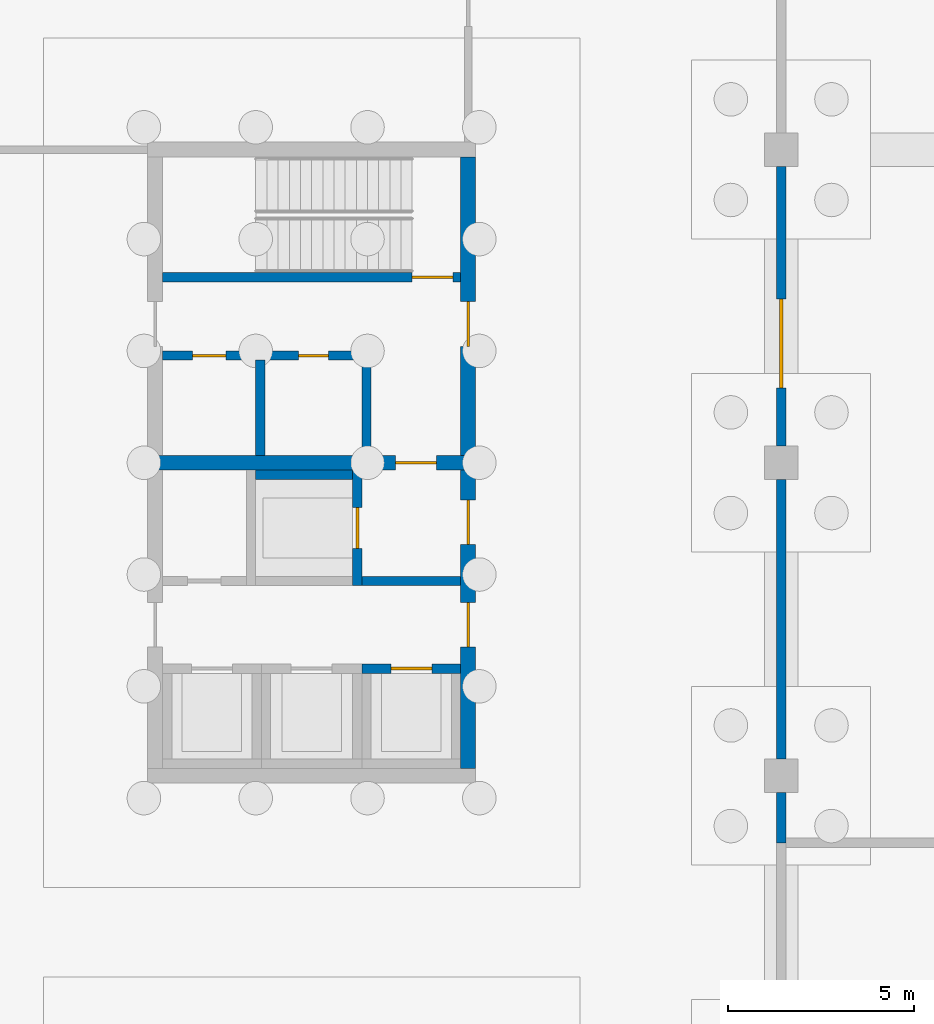
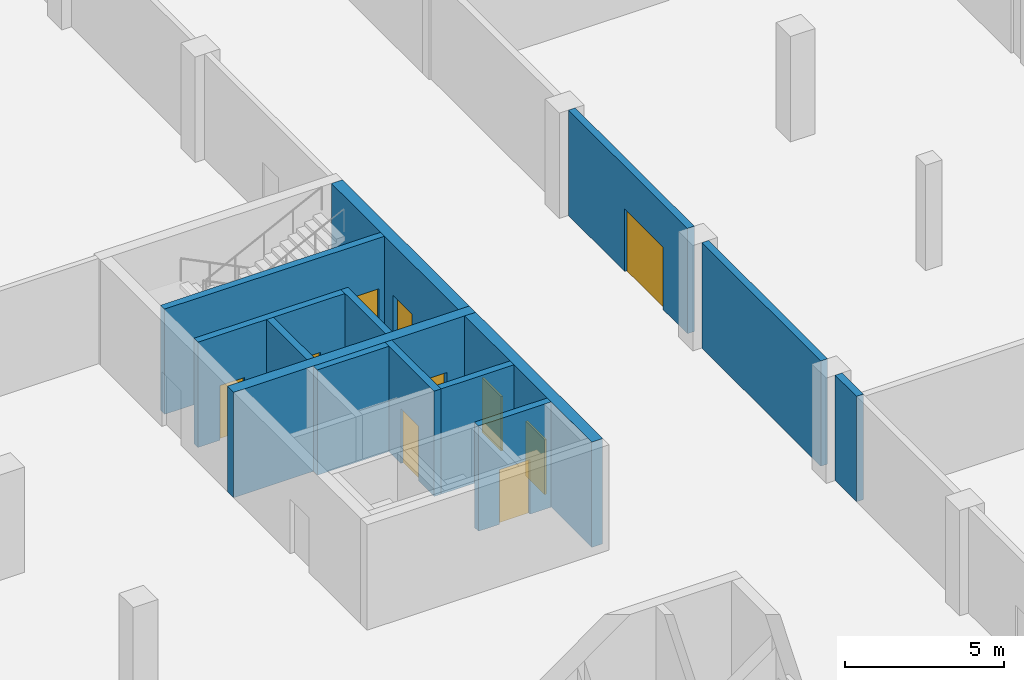
# One storey, part 14 of 23: 14 walls, 10 doors, 10 openings.
"""IFC4 building model written with IfcOpenShell, lengths in metres."""

from ifc_helpers import new_model, si_unit, direction, frame, frame_2d, origin, place, context, subcontext, project, spatial, rectangle, extrude, material, layer, layer_set, type_object, element, fill, save


model = new_model("IFC4")

# Units and contexts
model_context = context("Model", 3, precision=1e-05, world=origin(), true_north=direction((0.0, 1.0)))
body_context = subcontext(model_context, "Body", "Model", "MODEL_VIEW")
ifc_project = project(units=[si_unit("LENGTHUNIT", "METRE"), si_unit("AREAUNIT", "SQUARE_METRE"), si_unit("VOLUMEUNIT", "CUBIC_METRE"), si_unit("PLANEANGLEUNIT", "RADIAN"), si_unit("MASSUNIT", "GRAM", prefix="KILO")], contexts=[model_context])

# Site, building, storey
site_placement = place(None, origin())
site = spatial("IfcSite", under=ifc_project, at=site_placement, CompositionType="ELEMENT")
building_placement = place(site_placement, origin())
building = spatial("IfcBuilding", under=site, at=building_placement, Name="Hlaing Beacon Police Headquarters", CompositionType="ELEMENT")
storey_placement = place(building_placement, frame((0.0, 0.0, -4.5)))
storey = spatial("IfcBuildingStorey", under=building, at=storey_placement, Name="B1", CompositionType="ELEMENT", Elevation=-4.5)

# Wall, opening, door
ifc_material_1 = material(Name="Concrete C60/75", Category="concrete")
ifc_layer_1 = layer(ifc_material_1, 0.39990234375)
ifc_layer_set_1 = layer_set([ifc_layer_1], Name="Concrete C60/75")
wall_type_1 = type_object("IfcWallType", Name="Core shear wall 400", PredefinedType="SHEAR", material=ifc_layer_set_1)
wall_1_placement = place(storey_placement, frame((109.0, 58.800048828125, 0.0), z_axis=(0.0, 0.0, 1.0), x_axis=(1.0, 0.0, 0.0)))
wall_1 = element("IfcWall", 1, at=wall_1_placement, inside=storey, type_object=wall_type_1, Name="Core shear wall", PredefinedType="SHEAR", context=body_context, shape_type="SweptSolid", body=[
    extrude(rectangle(XDim=8.800048828125, YDim=0.39990234375, at=frame_2d((4.39990234375, 0.0))), origin(), (0.0, 0.0, 1.0), 4.050048828125),
])
opening_1_placement = place(wall_1_placement, frame((6.64990234375, 0.0, 0.0)))
opening_1 = element("IfcOpeningElement", 2, at=opening_1_placement, cuts=wall_1, Name="Opening B1-938", PredefinedType="OPENING", context=body_context, shape_type="SweptSolid", body=[
    extrude(rectangle(XDim=1.10009765625, YDim=2.10009765625, at=frame_2d((0.550048828125, 1.050048828125))), frame((0.0, 0.2099609375, 0.0), z_axis=(0.0, -1.0, 0.0), x_axis=(1.0, 0.0, 0.0)), (0.0, 0.0, 1.0), 0.419921875),
])
ifc_material_2 = material(Name="Steel fire door leaf", Category="steel")
ifc_layer_2 = layer(ifc_material_2, 0.070068359375)
ifc_layer_set_2 = layer_set([ifc_layer_2], Name="Steel fire door leaf")
door_type_1 = type_object("IfcDoorType", Name="Steel fire door FD60S 1100x2100", OperationType="SINGLE_SWING_LEFT", PredefinedType="DOOR", material=ifc_layer_set_2)
door_1_placement = place(opening_1_placement, origin())
door_1 = element("IfcDoor", 3, at=door_1_placement, inside=storey, type_object=door_type_1, Name="Door Firefighting Lobby Stair", OperationType="SINGLE_SWING_LEFT", OverallHeight=2.10009765625, OverallWidth=1.10009765625, PredefinedType="DOOR", context=body_context, shape_type="SweptSolid", body=[
    extrude(rectangle(XDim=1.10009765625, YDim=2.10009765625, at=frame_2d((0.550048828125, 1.050048828125))), frame((0.0, 0.03515625, 0.0), z_axis=(0.0, -1.0, 0.0), x_axis=(1.0, 0.0, 0.0)), (0.0, 0.0, 1.0), 0.070068359375),
])
fill(opening_1, door_1)

# Wall, openings, doors
wall_2_placement = place(storey_placement, frame((117.60009765625, 50.60009765625, 0.0), z_axis=(0.0, 0.0, 1.0), x_axis=(0.0, 1.0, 0.0)))
wall_2 = element("IfcWall", 4, at=wall_2_placement, inside=storey, type_object=wall_type_1, Name="Core shear wall", PredefinedType="SHEAR", context=body_context, shape_type="SweptSolid", body=[
    extrude(rectangle(XDim=8.0, YDim=0.39990234375, at=frame_2d((4.0, 0.0))), origin(), (0.0, 0.0, 1.0), 4.050048828125),
])
opening_2_placement = place(wall_2_placement, frame((3.25, 0.0, 0.0)))
opening_2 = element("IfcOpeningElement", 5, at=opening_2_placement, cuts=wall_2, Name="Opening B1-936", PredefinedType="OPENING", context=body_context, shape_type="SweptSolid", body=[
    extrude(rectangle(XDim=1.199951171875, YDim=2.10009765625, at=frame_2d((0.60009765625, 1.050048828125))), frame((0.0, 0.2099609375, 0.0), z_axis=(0.0, -1.0, 0.0), x_axis=(1.0, 0.0, 0.0)), (0.0, 0.0, 1.0), 0.419921875),
])
opening_3_placement = place(wall_2_placement, frame((6.0, 0.0, 0.0)))
opening_3 = element("IfcOpeningElement", 6, at=opening_3_placement, cuts=wall_2, Name="Opening B1-937", PredefinedType="OPENING", context=body_context, shape_type="SweptSolid", body=[
    extrude(rectangle(XDim=1.199951171875, YDim=2.10009765625, at=frame_2d((0.60009765625, 1.050048828125))), frame((0.0, 0.2099609375, 0.0), z_axis=(0.0, -1.0, 0.0), x_axis=(1.0, 0.0, 0.0)), (0.0, 0.0, 1.0), 0.419921875),
])
ifc_material_3 = material(Name="Steel fire door leaf", Category="steel")
ifc_layer_3 = layer(ifc_material_3, 0.070068359375)
ifc_layer_set_3 = layer_set([ifc_layer_3], Name="Steel fire door leaf")
door_type_2 = type_object("IfcDoorType", Name="Steel fire door FD60S 1200x2100", OperationType="SINGLE_SWING_LEFT", PredefinedType="DOOR", material=ifc_layer_set_3)
door_2_placement = place(opening_2_placement, origin())
door_2 = element("IfcDoor", 7, at=door_2_placement, inside=storey, type_object=door_type_2, Name="Door Lift Lobby Entry", OperationType="SINGLE_SWING_RIGHT", OverallHeight=2.10009765625, OverallWidth=1.199951171875, PredefinedType="DOOR", context=body_context, shape_type="SweptSolid", body=[
    extrude(rectangle(XDim=1.199951171875, YDim=2.10009765625, at=frame_2d((0.60009765625, 1.050048828125))), frame((0.0, 0.03515625, 0.0), z_axis=(0.0, -1.0, 0.0), x_axis=(1.0, 0.0, 0.0)), (0.0, 0.0, 1.0), 0.070068359375),
])
fill(opening_2, door_2)
door_3_placement = place(opening_3_placement, origin())
door_3 = element("IfcDoor", 8, at=door_3_placement, inside=storey, type_object=door_type_2, Name="Door Firefighting Lobby Entry", OperationType="SINGLE_SWING_LEFT", OverallHeight=2.10009765625, OverallWidth=1.199951171875, PredefinedType="DOOR", context=body_context, shape_type="SweptSolid", body=[
    extrude(rectangle(XDim=1.199951171875, YDim=2.10009765625, at=frame_2d((0.60009765625, 1.050048828125))), frame((0.0, 0.03515625, 0.0), z_axis=(0.0, -1.0, 0.0), x_axis=(1.0, 0.0, 0.0)), (0.0, 0.0, 1.0), 0.070068359375),
])
fill(opening_3, door_3)

# Wall, opening, door
wall_3_placement = place(storey_placement, frame((117.60009765625, 59.0, 0.0), z_axis=(0.0, 0.0, 1.0), x_axis=(0.0, 1.0, 0.0)))
wall_3 = element("IfcWall", 9, at=wall_3_placement, inside=storey, type_object=wall_type_1, Name="Core shear wall", PredefinedType="SHEAR", context=body_context, shape_type="SweptSolid", body=[
    extrude(rectangle(XDim=8.0, YDim=0.39990234375, at=frame_2d((4.0, 0.0))), origin(), (0.0, 0.0, 1.0), 4.050048828125),
])
opening_4_placement = place(wall_3_placement, frame((2.925048828125, 0.0, 0.0)))
opening_4 = element("IfcOpeningElement", 10, at=opening_4_placement, cuts=wall_3, Name="Opening B1-942", PredefinedType="OPENING", context=body_context, shape_type="SweptSolid", body=[
    extrude(rectangle(XDim=1.199951171875, YDim=2.10009765625, at=frame_2d((0.60009765625, 1.050048828125))), frame((0.0, 0.2099609375, 0.0), z_axis=(0.0, -1.0, 0.0), x_axis=(1.0, 0.0, 0.0)), (0.0, 0.0, 1.0), 0.419921875),
])
door_4_placement = place(opening_4_placement, origin())
door_4 = element("IfcDoor", 11, at=door_4_placement, inside=storey, type_object=door_type_2, Name="Door Stair Lobby ST-M Entry", OperationType="SINGLE_SWING_RIGHT", OverallHeight=2.10009765625, OverallWidth=1.199951171875, PredefinedType="DOOR", context=body_context, shape_type="SweptSolid", body=[
    extrude(rectangle(XDim=1.199951171875, YDim=2.10009765625, at=frame_2d((0.60009765625, 1.050048828125))), frame((0.0, 0.03515625, 0.0), z_axis=(0.0, -1.0, 0.0), x_axis=(1.0, 0.0, 0.0)), (0.0, 0.0, 1.0), 0.070068359375),
])
fill(opening_4, door_4)

# Wall
ifc_material_4 = material(Name="Concrete blockwork 7.5 N/mm2", Category="masonry")
ifc_layer_4 = layer(ifc_material_4, 0.25)
ifc_layer_set_4 = layer_set([ifc_layer_4], Name="Concrete blockwork 7.5 N/mm2")
wall_type_2 = type_object("IfcWallType", Name="Plant room wall EI 120 250", PredefinedType="PARTITIONING", material=ifc_layer_set_4)
wall_4_placement = place(storey_placement, frame((126.0, 50.85009765625, 0.0), z_axis=(0.0, 0.0, 1.0), x_axis=(0.0, 1.0, 0.0)))
element("IfcWall", 12, at=wall_4_placement, inside=storey, type_object=wall_type_2, Name="Plant room wall EI 120 250", PredefinedType="PARTITIONING", context=body_context, shape_type="SweptSolid", body=[
    extrude(rectangle(XDim=7.5, YDim=0.25, at=frame_2d((3.75, 0.0))), origin(), (0.0, 0.0, 1.0), 4.050048828125),
])

# Wall, opening, door
wall_5_placement = place(storey_placement, frame((126.0, 59.25, 0.0), z_axis=(0.0, 0.0, 1.0), x_axis=(0.0, 1.0, 0.0)))
wall_5 = element("IfcWall", 13, at=wall_5_placement, inside=storey, type_object=wall_type_2, Name="Plant room wall EI 120 250", PredefinedType="PARTITIONING", context=body_context, shape_type="SweptSolid", body=[
    extrude(rectangle(XDim=7.5, YDim=0.25, at=frame_2d((3.75, 0.0))), origin(), (0.0, 0.0, 1.0), 4.050048828125),
])
opening_5_placement = place(wall_5_placement, frame((1.550048828125, 0.0, 0.0)))
opening_5 = element("IfcOpeningElement", 14, at=opening_5_placement, cuts=wall_5, Name="Opening B1-004", PredefinedType="OPENING", context=body_context, shape_type="SweptSolid", body=[
    extrude(rectangle(XDim=2.39990234375, YDim=2.39990234375, at=frame_2d((1.199951171875, 1.199951171875))), frame((0.0, 0.135009765625, 0.0), z_axis=(0.0, -1.0, 0.0), x_axis=(1.0, 0.0, 0.0)), (0.0, 0.0, 1.0), 0.27001953125),
])
ifc_material_5 = material(Name="Hardwood door leaf", Category="wood")
ifc_layer_5 = layer(ifc_material_5, 0.10009765625)
ifc_layer_set_5 = layer_set([ifc_layer_5], Name="Hardwood door leaf")
door_type_3 = type_object("IfcDoorType", Name="Fire double door FD120 2400x2400", OperationType="DOUBLE_DOOR_SINGLE_SWING", PredefinedType="DOOR", material=ifc_layer_set_5)
door_5_placement = place(opening_5_placement, frame((2.39990234375, 0.0, 0.0), z_axis=(0.0, 0.0, 1.0), x_axis=(-1.0, 0.0, 0.0)))
door_5 = element("IfcDoor", 15, at=door_5_placement, inside=storey, type_object=door_type_3, Name="Door Basement Main Plant Room", OperationType="DOUBLE_DOOR_SINGLE_SWING", OverallHeight=2.39990234375, OverallWidth=2.39990234375, PredefinedType="DOOR", context=body_context, shape_type="SweptSolid", body=[
    extrude(rectangle(XDim=2.39990234375, YDim=2.39990234375, at=frame_2d((1.199951171875, 1.199951171875))), frame((0.0, 0.050048828125, 0.0), z_axis=(0.0, -1.0, 0.0), x_axis=(1.0, 0.0, 0.0)), (0.0, 0.0, 1.0), 0.10009765625),
])
fill(opening_5, door_5)

# Walls
wall_6_placement = place(storey_placement, frame((126.0, 48.60009765625, 0.0), z_axis=(0.0, 0.0, 1.0), x_axis=(0.0, 1.0, 0.0)))
element("IfcWall", 16, at=wall_6_placement, inside=storey, type_object=wall_type_2, Name="Plant room wall EI 120 250", PredefinedType="PARTITIONING", context=body_context, shape_type="SweptSolid", body=[
    extrude(rectangle(XDim=1.349853515625, YDim=0.25, at=frame_2d((0.6748046875, 0.0))), origin(), (0.0, 0.0, 1.0), 4.050048828125),
])
ifc_material_6 = material(Name="Concrete C40/50", Category="concrete")
ifc_layer_6 = layer(ifc_material_6, 0.25)
ifc_layer_set_6 = layer_set([ifc_layer_6], Name="Concrete C40/50")
wall_type_3 = type_object("IfcWallType", Name="Shaft wall 250", PredefinedType="SOLIDWALL", material=ifc_layer_set_6)
wall_7_placement = place(storey_placement, frame((114.75, 55.625, 0.0), z_axis=(0.0, 0.0, 1.0), x_axis=(1.0, 0.0, 0.0)))
element("IfcWall", 17, at=wall_7_placement, inside=storey, type_object=wall_type_3, Name="Firefighting lobby wall", PredefinedType="SOLIDWALL", context=body_context, shape_type="SweptSolid", body=[
    extrude(rectangle(XDim=2.64990234375, YDim=0.25, at=frame_2d((1.324951171875, 0.0))), origin(), (0.0, 0.0, 1.0), 4.050048828125),
])

# Wall, opening, door
wall_8_placement = place(storey_placement, frame((117.39990234375, 63.77490234375, 0.0), z_axis=(0.0, 0.0, 1.0), x_axis=(-1.0, 0.0, 0.0)))
wall_8 = element("IfcWall", 18, at=wall_8_placement, inside=storey, type_object=wall_type_3, Name="Stair enclosure wall", PredefinedType="SOLIDWALL", context=body_context, shape_type="SweptSolid", body=[
    extrude(rectangle(XDim=8.0, YDim=0.25, at=frame_2d((4.0, 0.0))), origin(), (0.0, 0.0, 1.0), 4.050048828125),
])
opening_6_placement = place(wall_8_placement, frame((0.199951171875, 0.0, 0.0)))
opening_6 = element("IfcOpeningElement", 19, at=opening_6_placement, cuts=wall_8, Name="Opening B1-944", PredefinedType="OPENING", context=body_context, shape_type="SweptSolid", body=[
    extrude(rectangle(XDim=1.10009765625, YDim=2.10009765625, at=frame_2d((0.550048828125, 1.050048828125))), frame((0.0, 0.135009765625, 0.0), z_axis=(0.0, -1.0, 0.0), x_axis=(1.0, 0.0, 0.0)), (0.0, 0.0, 1.0), 0.27001953125),
])
ifc_material_7 = material(Name="Steel fire door leaf", Category="steel")
ifc_layer_7 = layer(ifc_material_7, 0.070068359375)
ifc_layer_set_7 = layer_set([ifc_layer_7], Name="Steel fire door leaf")
door_type_4 = type_object("IfcDoorType", Name="Steel fire door FD60 1100x2100", OperationType="SINGLE_SWING_LEFT", PredefinedType="DOOR", material=ifc_layer_set_7)
door_6_placement = place(opening_6_placement, frame((1.10009765625, 0.0, 0.0), z_axis=(0.0, 0.0, 1.0), x_axis=(-1.0, 0.0, 0.0)))
door_6 = element("IfcDoor", 20, at=door_6_placement, inside=storey, type_object=door_type_4, Name="Door Stair ST-M", OperationType="SINGLE_SWING_LEFT", OverallHeight=2.10009765625, OverallWidth=1.10009765625, PredefinedType="DOOR", context=body_context, shape_type="SweptSolid", body=[
    extrude(rectangle(XDim=1.10009765625, YDim=2.10009765625, at=frame_2d((0.550048828125, 1.050048828125))), frame((0.0, 0.034912109375, 0.0), z_axis=(0.0, -1.0, 0.0), x_axis=(1.0, 0.0, 0.0)), (0.0, 0.0, 1.0), 0.070068359375),
])
fill(opening_6, door_6)

# Wall
wall_9_placement = place(storey_placement, frame((114.875, 61.800048828125, 0.0), z_axis=(0.0, 0.0, 1.0), x_axis=(0.0, -1.0, 0.0)))
element("IfcWall", 21, at=wall_9_placement, inside=storey, type_object=wall_type_3, Name="Lobby wall", PredefinedType="SOLIDWALL", context=body_context, shape_type="SweptSolid", body=[
    extrude(rectangle(XDim=2.800048828125, YDim=0.25, at=frame_2d((1.39990234375, 0.0))), origin(), (0.0, 0.0, 1.0), 4.050048828125),
])

# Wall, openings, doors
wall_10_placement = place(storey_placement, frame((114.75, 61.675048828125, 0.0), z_axis=(0.0, 0.0, 1.0), x_axis=(-1.0, 0.0, 0.0)))
wall_10 = element("IfcWall", 22, at=wall_10_placement, inside=storey, type_object=wall_type_3, Name="Lobby wall", PredefinedType="SOLIDWALL", context=body_context, shape_type="SweptSolid", body=[
    extrude(rectangle(XDim=5.35009765625, YDim=0.25, at=frame_2d((2.675048828125, 0.0))), origin(), (0.0, 0.0, 1.0), 4.050048828125),
])
opening_7_placement = place(wall_10_placement, frame((3.64990234375, 0.0, 0.0)))
opening_7 = element("IfcOpeningElement", 23, at=opening_7_placement, cuts=wall_10, Name="Opening B1-940", PredefinedType="OPENING", context=body_context, shape_type="SweptSolid", body=[
    extrude(rectangle(XDim=0.89990234375, YDim=2.10009765625, at=frame_2d((0.449951171875, 1.050048828125))), frame((0.0, 0.135009765625, 0.0), z_axis=(0.0, -1.0, 0.0), x_axis=(1.0, 0.0, 0.0)), (0.0, 0.0, 1.0), 0.27001953125),
])
opening_8_placement = place(wall_10_placement, frame((0.89990234375, 0.0, 0.0)))
opening_8 = element("IfcOpeningElement", 24, at=opening_8_placement, cuts=wall_10, Name="Opening B1-943", PredefinedType="OPENING", context=body_context, shape_type="SweptSolid", body=[
    extrude(rectangle(XDim=0.800048828125, YDim=2.10009765625, at=frame_2d((0.39990234375, 1.050048828125))), frame((0.0, 0.135009765625, 0.0), z_axis=(0.0, -1.0, 0.0), x_axis=(1.0, 0.0, 0.0)), (0.0, 0.0, 1.0), 0.27001953125),
])
ifc_material_8 = material(Name="Steel fire door leaf", Category="steel")
ifc_layer_8 = layer(ifc_material_8, 0.070068359375)
ifc_layer_set_8 = layer_set([ifc_layer_8], Name="Steel fire door leaf")
door_type_5 = type_object("IfcDoorType", Name="Steel fire door FD60 800x2100", OperationType="SINGLE_SWING_LEFT", PredefinedType="DOOR", material=ifc_layer_set_8)
door_7_placement = place(opening_8_placement, origin())
door_7 = element("IfcDoor", 25, at=door_7_placement, inside=storey, type_object=door_type_5, Name="Door Services Riser", OperationType="SINGLE_SWING_RIGHT", OverallHeight=2.10009765625, OverallWidth=0.800048828125, PredefinedType="DOOR", context=body_context, shape_type="SweptSolid", body=[
    extrude(rectangle(XDim=0.800048828125, YDim=2.10009765625, at=frame_2d((0.39990234375, 1.050048828125))), frame((0.0, 0.03515625, 0.0), z_axis=(0.0, -1.0, 0.0), x_axis=(1.0, 0.0, 0.0)), (0.0, 0.0, 1.0), 0.070068359375),
])
fill(opening_8, door_7)
ifc_material_9 = material(Name="Steel fire door leaf", Category="steel")
ifc_layer_9 = layer(ifc_material_9, 0.070068359375)
ifc_layer_set_9 = layer_set([ifc_layer_9], Name="Steel fire door leaf")
door_type_6 = type_object("IfcDoorType", Name="Steel fire door FD60 900x2100", OperationType="SINGLE_SWING_LEFT", PredefinedType="DOOR", material=ifc_layer_set_9)
door_8_placement = place(opening_7_placement, origin())
door_8 = element("IfcDoor", 26, at=door_8_placement, inside=storey, type_object=door_type_6, Name="Door Cleaners' Store", OperationType="SINGLE_SWING_LEFT", OverallHeight=2.10009765625, OverallWidth=0.89990234375, PredefinedType="DOOR", context=body_context, shape_type="SweptSolid", body=[
    extrude(rectangle(XDim=0.89990234375, YDim=2.10009765625, at=frame_2d((0.449951171875, 1.050048828125))), frame((0.0, 0.03515625, 0.0), z_axis=(0.0, -1.0, 0.0), x_axis=(1.0, 0.0, 0.0)), (0.0, 0.0, 1.0), 0.070068359375),
])
fill(opening_7, door_8)

# Wall
wall_11_placement = place(storey_placement, frame((112.02490234375, 61.550048828125, 0.0), z_axis=(0.0, 0.0, 1.0), x_axis=(0.0, -1.0, 0.0)))
element("IfcWall", 27, at=wall_11_placement, inside=storey, type_object=wall_type_3, Name="Riser wall", PredefinedType="SOLIDWALL", context=body_context, shape_type="SweptSolid", body=[
    extrude(rectangle(XDim=2.550048828125, YDim=0.25, at=frame_2d((1.27490234375, 0.0))), origin(), (0.0, 0.0, 1.0), 4.050048828125),
])

# Wall, opening, door
wall_12_placement = place(storey_placement, frame((114.625, 55.5, 0.0), z_axis=(0.0, 0.0, 1.0), x_axis=(0.0, 1.0, 0.0)))
wall_12 = element("IfcWall", 28, at=wall_12_placement, inside=storey, type_object=wall_type_3, Name="Lift shaft wall FL1", PredefinedType="SOLIDWALL", context=body_context, shape_type="SweptSolid", body=[
    extrude(rectangle(XDim=3.10009765625, YDim=0.25, at=frame_2d((1.550048828125, 0.0))), origin(), (0.0, 0.0, 1.0), 4.050048828125),
])
opening_9_placement = place(wall_12_placement, frame((1.0, 0.0, 0.0)))
opening_9 = element("IfcOpeningElement", 29, at=opening_9_placement, cuts=wall_12, Name="Opening LD-FL1-B1", PredefinedType="OPENING", context=body_context, shape_type="SweptSolid", body=[
    extrude(rectangle(XDim=1.10009765625, YDim=2.10009765625, at=frame_2d((0.550048828125, 1.050048828125))), frame((0.0, 0.135009765625, 0.0), z_axis=(0.0, -1.0, 0.0), x_axis=(1.0, 0.0, 0.0)), (0.0, 0.0, 1.0), 0.27001953125),
])
ifc_material_10 = material(Name="Stainless steel lift landing door", Category="steel")
ifc_layer_10 = layer(ifc_material_10, 0.06005859375)
ifc_layer_set_10 = layer_set([ifc_layer_10], Name="Stainless steel lift landing door")
door_type_7 = type_object("IfcDoorType", Name="Lift landing door 1100x2100", OperationType="DOUBLE_DOOR_SLIDING", PredefinedType="DOOR", material=ifc_layer_set_10)
door_9_placement = place(opening_9_placement, origin())
door_9 = element("IfcDoor", 30, at=door_9_placement, inside=storey, type_object=door_type_7, Name="Landing door FL1 B1", OperationType="DOUBLE_DOOR_SLIDING", OverallHeight=2.10009765625, OverallWidth=1.10009765625, PredefinedType="DOOR", context=body_context, shape_type="SweptSolid", body=[
    extrude(rectangle(XDim=1.10009765625, YDim=2.10009765625, at=frame_2d((0.550048828125, 1.050048828125))), frame((0.0, 0.0400390625, 0.0), z_axis=(0.0, -1.0, 0.0), x_axis=(1.0, 0.0, 0.0)), (0.0, 0.0, 1.0), 0.080078125),
])
fill(opening_9, door_9)

# Wall
wall_13_placement = place(storey_placement, frame((111.89990234375, 58.47509765625, 0.0), z_axis=(0.0, 0.0, 1.0), x_axis=(1.0, 0.0, 0.0)))
element("IfcWall", 31, at=wall_13_placement, inside=storey, type_object=wall_type_3, Name="Lift shaft wall FL1", PredefinedType="SOLIDWALL", context=body_context, shape_type="SweptSolid", body=[
    extrude(rectangle(XDim=2.60009765625, YDim=0.25, at=frame_2d((1.300048828125, 0.0))), origin(), (0.0, 0.0, 1.0), 4.050048828125),
])

# Wall, opening, door
wall_14_placement = place(storey_placement, frame((114.75, 53.27490234375, 0.0), z_axis=(0.0, 0.0, 1.0), x_axis=(1.0, 0.0, 0.0)))
wall_14 = element("IfcWall", 32, at=wall_14_placement, inside=storey, type_object=wall_type_3, Name="Lift shaft wall PL9", PredefinedType="SOLIDWALL", context=body_context, shape_type="SweptSolid", body=[
    extrude(rectangle(XDim=2.64990234375, YDim=0.25, at=frame_2d((1.324951171875, 0.0))), origin(), (0.0, 0.0, 1.0), 4.050048828125),
])
opening_10_placement = place(wall_14_placement, frame((0.77490234375, 0.0, 0.0)))
opening_10 = element("IfcOpeningElement", 33, at=opening_10_placement, cuts=wall_14, Name="Opening LD-PL9-B1", PredefinedType="OPENING", context=body_context, shape_type="SweptSolid", body=[
    extrude(rectangle(XDim=1.10009765625, YDim=2.10009765625, at=frame_2d((0.550048828125, 1.050048828125))), frame((0.0, 0.135009765625, 0.0), z_axis=(0.0, -1.0, 0.0), x_axis=(1.0, 0.0, 0.0)), (0.0, 0.0, 1.0), 0.27001953125),
])
door_10_placement = place(opening_10_placement, origin())
door_10 = element("IfcDoor", 34, at=door_10_placement, inside=storey, type_object=door_type_7, Name="Landing door PL9 B1", OperationType="DOUBLE_DOOR_SLIDING", OverallHeight=2.10009765625, OverallWidth=1.10009765625, PredefinedType="DOOR", context=body_context, shape_type="SweptSolid", body=[
    extrude(rectangle(XDim=1.10009765625, YDim=2.10009765625, at=frame_2d((0.550048828125, 1.050048828125))), frame((0.0, 0.0400390625, 0.0), z_axis=(0.0, -1.0, 0.0), x_axis=(1.0, 0.0, 0.0)), (0.0, 0.0, 1.0), 0.080078125),
])
fill(opening_10, door_10)

save(model, "model.ifc")
